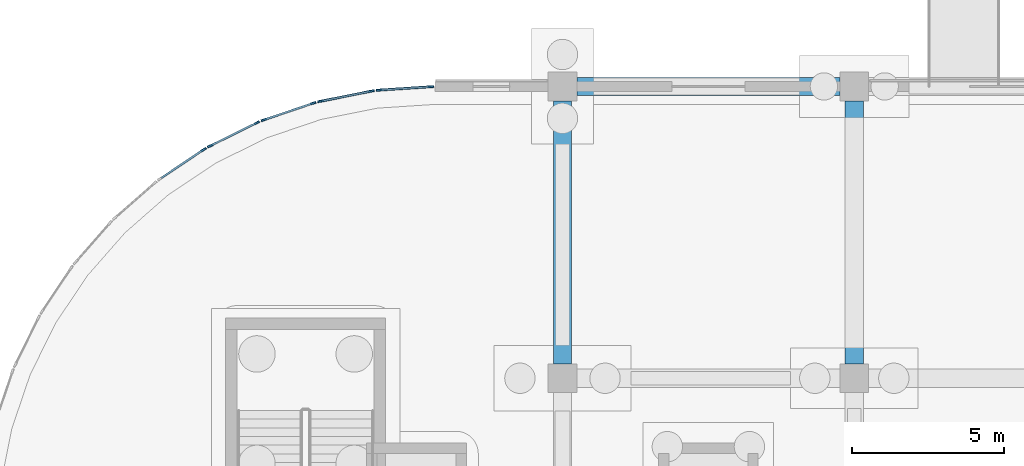
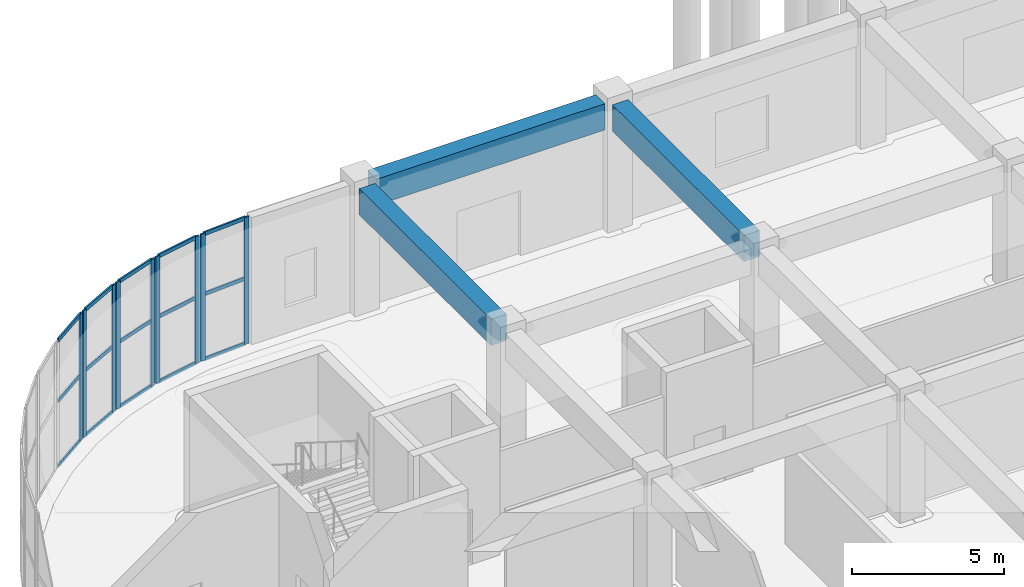
# One storey, part 14 of 74: 24 members, 3 beams, 5 elements without a shape of their own.
"""IFC4 building model written with IfcOpenShell, lengths in metres."""

from ifc_helpers import new_model, si_unit, direction, frame, origin, origin_2d, place, context, subcontext, project, spatial, rectangle, extrude, material, layer, layer_set, material_profile, profile_set, type_object, element, aggregate, save


model = new_model("IFC4")

# Units and contexts
model_context = context("Model", 3, precision=1e-05, world=origin(), true_north=direction((0.0, 1.0)))
body_context = subcontext(model_context, "Body", "Model", "MODEL_VIEW")
ifc_project = project(units=[si_unit("LENGTHUNIT", "METRE"), si_unit("AREAUNIT", "SQUARE_METRE"), si_unit("VOLUMEUNIT", "CUBIC_METRE"), si_unit("PLANEANGLEUNIT", "RADIAN"), si_unit("MASSUNIT", "GRAM", prefix="KILO")], contexts=[model_context])

# Site, building, storey
site_placement = place(None, origin())
site = spatial("IfcSite", under=ifc_project, at=site_placement, CompositionType="ELEMENT")
building_placement = place(site_placement, origin())
building = spatial("IfcBuilding", under=site, at=building_placement, Name="Cendralis Terraced Arcade", CompositionType="ELEMENT")
storey_placement = place(building_placement, origin())
storey = spatial("IfcBuildingStorey", under=building, at=storey_placement, Name="L00", CompositionType="ELEMENT", Elevation=0.0)

# Beams
ifc_material_1 = material(Name="Concrete f'c 35 MPa", Category="concrete")
ifc_material_profile_1 = material_profile(ifc_material_1, rectangle(XDim=0.60009765625, YDim=1.050048828125, at=origin_2d()), Name="RC-BM-600x1050", Category="LoadBearing")
ifc_profile_set_1 = profile_set([ifc_material_profile_1], Name="Concrete f'c 35 MPa")
beam_type = type_object("IfcBeamType", Name="BM-600x1050", PredefinedType="JOIST", material=ifc_profile_set_1)
for number, where, z_axis, x_axis, name in (
    (1, (19.675048828125, 88.800048828125, 4.56494140625), (1.0, 0.0, 0.0), (0.0, 1.0, 0.0), "Reinforced Concrete Frame Beam BM-X-L01-K-3_4"),
    (2, (19.199951171875, 79.675048828125, 4.56494140625), (0.0, 1.0, 0.0), (-1.0, 0.0, 0.0), "Reinforced Concrete Frame Beam BM-Y-L01-3-J_K"),
    (3, (28.800048828125, 79.675048828125, 4.56494140625), (0.0, 1.0, 0.0), (-1.0, 0.0, 0.0), "Reinforced Concrete Frame Beam BM-Y-L01-4-J_K"),
):
    element("IfcBeam", number, at=place(storey_placement, frame(where, z_axis=z_axis, x_axis=x_axis)), inside=storey, type_object=beam_type, Name=name, PredefinedType="JOIST", context=body_context, shape_type="SweptSolid", body=[
        extrude(rectangle(XDim=0.60009765625, YDim=1.050048828125, at=origin_2d()), origin(), (0.0, 0.0, 1.0), 8.64990234375),
    ])

# Curtain wall, member
ifc_material_2 = material(Name="Anodised aluminium EN AW-6063 T6", Category="aluminium")
ifc_layer = layer(ifc_material_2, 0.179931640625, Name="CW-UNIT-A")
ifc_layer_set = layer_set([ifc_layer], Name="Anodised aluminium EN AW-6063 T6")
curtain_wall_type = type_object("IfcCurtainWallType", Name="CW-UNIT-A", PredefinedType="USERDEFINED", material=ifc_layer_set)
curtain_wall_1_placement = place(storey_placement, origin())
curtain_wall_1 = element("IfcCurtainWall", 4, at=curtain_wall_1_placement, inside=storey, type_object=curtain_wall_type, Name="Exterior Unitised Facade CW-L00-0020", ObjectType="UNITISED FACADE", PredefinedType="USERDEFINED")
ifc_material_profile_2 = material_profile(ifc_material_2, rectangle(XDim=0.06494140625, YDim=0.179931640625, at=origin_2d()), Name="ALU-MUL-65x180")
ifc_profile_set_2 = profile_set([ifc_material_profile_2], Name="Anodised aluminium EN AW-6063 T6")
member_type_1 = type_object("IfcMemberType", Name="CW-UNIT-A-MUL", PredefinedType="MULLION", material=ifc_profile_set_2)
member_1_placement = place(storey_placement, frame((7.398193359375, 86.722412109375, 0.0), z_axis=(0.0, 0.0, 1.0), x_axis=(-0.555567476528, 0.831471454125, 0.0)))
member_1 = element("IfcMember", 5, at=member_1_placement, type_object=member_type_1, Name="CW-U1 mullion 2", PredefinedType="MULLION", context=body_context, shape_type="SweptSolid", body=[
    extrude(rectangle(XDim=0.06494140625, YDim=0.179931640625, at=origin_2d()), origin(), (0.0, 0.0, 1.0), 5.090087890625),
])

# Curtain wall, members
curtain_wall_2_placement = place(storey_placement, origin())
curtain_wall_2 = element("IfcCurtainWall", 6, at=curtain_wall_2_placement, inside=storey, type_object=curtain_wall_type, Name="Exterior Unitised Facade CW-L00-0021", ObjectType="UNITISED FACADE", PredefinedType="USERDEFINED")
member_2_placement = place(storey_placement, frame((7.60986328125, 86.844482421875, 0.0), z_axis=(0.0, 0.0, 1.0), x_axis=(-0.442291247495, 0.896871480419, 0.0)))
member_2 = element("IfcMember", 7, at=member_2_placement, type_object=member_type_1, Name="CW-U1 mullion 1", PredefinedType="MULLION", context=body_context, shape_type="SweptSolid", body=[
    extrude(rectangle(XDim=0.06494140625, YDim=0.179931640625, at=origin_2d()), origin(), (0.0, 0.0, 1.0), 5.090087890625),
])
member_3_placement = place(storey_placement, frame((9.14990234375, 87.60400390625, 0.0), z_axis=(0.0, 0.0, 1.0), x_axis=(-0.442291247495, 0.896871480419, 0.0)))
member_3 = element("IfcMember", 8, at=member_3_placement, type_object=member_type_1, Name="CW-U1 mullion 2", PredefinedType="MULLION", context=body_context, shape_type="SweptSolid", body=[
    extrude(rectangle(XDim=0.06494140625, YDim=0.179931640625, at=origin_2d()), origin(), (0.0, 0.0, 1.0), 5.090087890625),
])

curtain_wall_3_placement = place(storey_placement, origin())
curtain_wall_3 = element("IfcCurtainWall", 9, at=curtain_wall_3_placement, inside=storey, type_object=curtain_wall_type, Name="Exterior Unitised Facade CW-L00-0022", ObjectType="UNITISED FACADE", PredefinedType="USERDEFINED")
member_4_placement = place(storey_placement, frame((9.375732421875, 87.697509765625, 0.0), z_axis=(0.0, 0.0, 1.0), x_axis=(-0.321458077458, 0.946923811316, 0.0)))
member_4 = element("IfcMember", 10, at=member_4_placement, type_object=member_type_1, Name="CW-U1 mullion 1", PredefinedType="MULLION", context=body_context, shape_type="SweptSolid", body=[
    extrude(rectangle(XDim=0.06494140625, YDim=0.179931640625, at=origin_2d()), origin(), (0.0, 0.0, 1.0), 5.090087890625),
])
member_5_placement = place(storey_placement, frame((11.001708984375, 88.24951171875, 0.0), z_axis=(0.0, 0.0, 1.0), x_axis=(-0.321458077458, 0.946923811316, 0.0)))
member_5 = element("IfcMember", 11, at=member_5_placement, type_object=member_type_1, Name="CW-U1 mullion 2", PredefinedType="MULLION", context=body_context, shape_type="SweptSolid", body=[
    extrude(rectangle(XDim=0.06494140625, YDim=0.179931640625, at=origin_2d()), origin(), (0.0, 0.0, 1.0), 5.090087890625),
])

curtain_wall_4_placement = place(storey_placement, origin())
curtain_wall_4 = element("IfcCurtainWall", 12, at=curtain_wall_4_placement, inside=storey, type_object=curtain_wall_type, Name="Exterior Unitised Facade CW-L00-0023", ObjectType="UNITISED FACADE", PredefinedType="USERDEFINED")
member_6_placement = place(storey_placement, frame((11.23779296875, 88.312744140625, 0.0), z_axis=(0.0, 0.0, 1.0), x_axis=(-0.195058454434, 0.980791618721, 0.0)))
member_6 = element("IfcMember", 13, at=member_6_placement, type_object=member_type_1, Name="CW-U1 mullion 1", PredefinedType="MULLION", context=body_context, shape_type="SweptSolid", body=[
    extrude(rectangle(XDim=0.06494140625, YDim=0.179931640625, at=origin_2d()), origin(), (0.0, 0.0, 1.0), 5.090087890625),
])
member_7_placement = place(storey_placement, frame((12.921875, 88.647705078125, 0.0), z_axis=(0.0, 0.0, 1.0), x_axis=(-0.195058454434, 0.980791618721, 0.0)))
member_7 = element("IfcMember", 14, at=member_7_placement, type_object=member_type_1, Name="CW-U1 mullion 2", PredefinedType="MULLION", context=body_context, shape_type="SweptSolid", body=[
    extrude(rectangle(XDim=0.06494140625, YDim=0.179931640625, at=origin_2d()), origin(), (0.0, 0.0, 1.0), 5.090087890625),
])

curtain_wall_5_placement = place(storey_placement, origin())
curtain_wall_5 = element("IfcCurtainWall", 15, at=curtain_wall_5_placement, inside=storey, type_object=curtain_wall_type, Name="Exterior Unitised Facade CW-L00-0024", ObjectType="UNITISED FACADE", PredefinedType="USERDEFINED")
member_8_placement = place(storey_placement, frame((13.164306640625, 88.6796875, 0.0), z_axis=(0.0, 0.0, 1.0), x_axis=(-0.065371873798, 0.997860971336, 0.0)))
member_8 = element("IfcMember", 16, at=member_8_placement, type_object=member_type_1, Name="CW-U1 mullion 1", PredefinedType="MULLION", context=body_context, shape_type="SweptSolid", body=[
    extrude(rectangle(XDim=0.06494140625, YDim=0.179931640625, at=origin_2d()), origin(), (0.0, 0.0, 1.0), 5.090087890625),
])
member_9_placement = place(storey_placement, frame((14.877685546875, 88.7919921875, 0.0), z_axis=(0.0, 0.0, 1.0), x_axis=(-0.065371873798, 0.997860971336, 0.0)))
member_9 = element("IfcMember", 17, at=member_9_placement, type_object=member_type_1, Name="CW-U1 mullion 2", PredefinedType="MULLION", context=body_context, shape_type="SweptSolid", body=[
    extrude(rectangle(XDim=0.06494140625, YDim=0.179931640625, at=origin_2d()), origin(), (0.0, 0.0, 1.0), 5.090087890625),
])

# Member
ifc_material_profile_3 = material_profile(ifc_material_2, rectangle(XDim=0.06494140625, YDim=0.14990234375, at=origin_2d()), Name="ALU-TRN-65x150")
ifc_profile_set_3 = profile_set([ifc_material_profile_3], Name="Anodised aluminium EN AW-6063 T6")
member_type_2 = type_object("IfcMemberType", Name="CW-UNIT-A-TRN", PredefinedType="USERDEFINED", material=ifc_profile_set_3)
member_10_placement = place(storey_placement, frame((5.99755859375, 85.786376953125, 0.032470703125), z_axis=(0.831413153436, 0.555654720391, 0.0), x_axis=(-0.555654720391, 0.831413153436, 0.0)))
member_10 = element("IfcMember", 18, at=member_10_placement, type_object=member_type_2, Name="CW-U1 transom 1.1", ObjectType="TRANSOM", PredefinedType="USERDEFINED", context=body_context, shape_type="SweptSolid", body=[
    extrude(rectangle(XDim=0.06494140625, YDim=0.14990234375, at=origin_2d()), origin(), (0.0, 0.0, 1.0), 1.652099609375),
])

member_11_placement = place(storey_placement, frame((5.99755859375, 85.786376953125, 2.646728515625), z_axis=(0.831413153436, 0.555654720391, 0.0), x_axis=(-0.555654720391, 0.831413153436, 0.0)))
member_11 = element("IfcMember", 19, at=member_11_placement, type_object=member_type_2, Name="CW-U1 transom 1.2", ObjectType="TRANSOM", PredefinedType="USERDEFINED", context=body_context, shape_type="SweptSolid", body=[
    extrude(rectangle(XDim=0.06494140625, YDim=0.14990234375, at=origin_2d()), origin(), (0.0, 0.0, 1.0), 1.652099609375),
])

member_12_placement = place(storey_placement, frame((5.99755859375, 85.786376953125, 5.0576171875), z_axis=(0.831413153436, 0.555654720391, 0.0), x_axis=(-0.555654720391, 0.831413153436, 0.0)))
member_12 = element("IfcMember", 20, at=member_12_placement, type_object=member_type_2, Name="CW-U1 transom 1.3", ObjectType="TRANSOM", PredefinedType="USERDEFINED", context=body_context, shape_type="SweptSolid", body=[
    extrude(rectangle(XDim=0.06494140625, YDim=0.14990234375, at=origin_2d()), origin(), (0.0, 0.0, 1.0), 1.652099609375),
])

aggregate(curtain_wall_1, [member_1, member_10, member_11, member_12])

member_13_placement = place(storey_placement, frame((7.638916015625, 86.85888671875, 0.032470703125), z_axis=(0.896866855431, 0.442300625853, 0.0), x_axis=(-0.442300625853, 0.896866855431, 0.0)))
member_13 = element("IfcMember", 21, at=member_13_placement, type_object=member_type_2, Name="CW-U1 transom 1.1", ObjectType="TRANSOM", PredefinedType="USERDEFINED", context=body_context, shape_type="SweptSolid", body=[
    extrude(rectangle(XDim=0.06494140625, YDim=0.14990234375, at=origin_2d()), origin(), (0.0, 0.0, 1.0), 1.652099609375),
])

member_14_placement = place(storey_placement, frame((7.638916015625, 86.85888671875, 2.646728515625), z_axis=(0.896866855431, 0.442300625853, 0.0), x_axis=(-0.442300625853, 0.896866855431, 0.0)))
member_14 = element("IfcMember", 22, at=member_14_placement, type_object=member_type_2, Name="CW-U1 transom 1.2", ObjectType="TRANSOM", PredefinedType="USERDEFINED", context=body_context, shape_type="SweptSolid", body=[
    extrude(rectangle(XDim=0.06494140625, YDim=0.14990234375, at=origin_2d()), origin(), (0.0, 0.0, 1.0), 1.652099609375),
])

member_15_placement = place(storey_placement, frame((7.638916015625, 86.85888671875, 5.0576171875), z_axis=(0.896866855431, 0.442300625853, 0.0), x_axis=(-0.442300625853, 0.896866855431, 0.0)))
member_15 = element("IfcMember", 23, at=member_15_placement, type_object=member_type_2, Name="CW-U1 transom 1.3", ObjectType="TRANSOM", PredefinedType="USERDEFINED", context=body_context, shape_type="SweptSolid", body=[
    extrude(rectangle(XDim=0.06494140625, YDim=0.14990234375, at=origin_2d()), origin(), (0.0, 0.0, 1.0), 1.652099609375),
])

aggregate(curtain_wall_2, [member_2, member_3, member_13, member_14, member_15])

member_16_placement = place(storey_placement, frame((9.406494140625, 87.7080078125, 0.032470703125), z_axis=(0.94694015461, 0.321409930755, 0.0), x_axis=(-0.321409930755, 0.94694015461, 0.0)))
member_16 = element("IfcMember", 24, at=member_16_placement, type_object=member_type_2, Name="CW-U1 transom 1.1", ObjectType="TRANSOM", PredefinedType="USERDEFINED", context=body_context, shape_type="SweptSolid", body=[
    extrude(rectangle(XDim=0.06494140625, YDim=0.14990234375, at=origin_2d()), origin(), (0.0, 0.0, 1.0), 1.652099609375),
])

member_17_placement = place(storey_placement, frame((9.406494140625, 87.7080078125, 2.646728515625), z_axis=(0.94694015461, 0.321409930755, 0.0), x_axis=(-0.321409930755, 0.94694015461, 0.0)))
member_17 = element("IfcMember", 25, at=member_17_placement, type_object=member_type_2, Name="CW-U1 transom 1.2", ObjectType="TRANSOM", PredefinedType="USERDEFINED", context=body_context, shape_type="SweptSolid", body=[
    extrude(rectangle(XDim=0.06494140625, YDim=0.14990234375, at=origin_2d()), origin(), (0.0, 0.0, 1.0), 1.652099609375),
])

member_18_placement = place(storey_placement, frame((9.406494140625, 87.7080078125, 5.0576171875), z_axis=(0.94694015461, 0.321409930755, 0.0), x_axis=(-0.321409930755, 0.94694015461, 0.0)))
member_18 = element("IfcMember", 26, at=member_18_placement, type_object=member_type_2, Name="CW-U1 transom 1.3", ObjectType="TRANSOM", PredefinedType="USERDEFINED", context=body_context, shape_type="SweptSolid", body=[
    extrude(rectangle(XDim=0.06494140625, YDim=0.14990234375, at=origin_2d()), origin(), (0.0, 0.0, 1.0), 1.652099609375),
])

aggregate(curtain_wall_3, [member_4, member_5, member_16, member_17, member_18])

member_19_placement = place(storey_placement, frame((11.269775390625, 88.319091796875, 0.032470703125), z_axis=(0.980790408784, 0.195064538134, 0.0), x_axis=(-0.195064538134, 0.980790408784, 0.0)))
member_19 = element("IfcMember", 27, at=member_19_placement, type_object=member_type_2, Name="CW-U1 transom 1.1", ObjectType="TRANSOM", PredefinedType="USERDEFINED", context=body_context, shape_type="SweptSolid", body=[
    extrude(rectangle(XDim=0.06494140625, YDim=0.14990234375, at=origin_2d()), origin(), (0.0, 0.0, 1.0), 1.652099609375),
])

member_20_placement = place(storey_placement, frame((11.269775390625, 88.319091796875, 2.646728515625), z_axis=(0.980790408784, 0.195064538134, 0.0), x_axis=(-0.195064538134, 0.980790408784, 0.0)))
member_20 = element("IfcMember", 28, at=member_20_placement, type_object=member_type_2, Name="CW-U1 transom 1.2", ObjectType="TRANSOM", PredefinedType="USERDEFINED", context=body_context, shape_type="SweptSolid", body=[
    extrude(rectangle(XDim=0.06494140625, YDim=0.14990234375, at=origin_2d()), origin(), (0.0, 0.0, 1.0), 1.652099609375),
])

member_21_placement = place(storey_placement, frame((11.269775390625, 88.319091796875, 5.0576171875), z_axis=(0.980790408784, 0.195064538134, 0.0), x_axis=(-0.195064538134, 0.980790408784, 0.0)))
member_21 = element("IfcMember", 29, at=member_21_placement, type_object=member_type_2, Name="CW-U1 transom 1.3", ObjectType="TRANSOM", PredefinedType="USERDEFINED", context=body_context, shape_type="SweptSolid", body=[
    extrude(rectangle(XDim=0.06494140625, YDim=0.14990234375, at=origin_2d()), origin(), (0.0, 0.0, 1.0), 1.652099609375),
])

aggregate(curtain_wall_4, [member_6, member_7, member_19, member_20, member_21])

member_22_placement = place(storey_placement, frame((13.19677734375, 88.681884765625, 0.032470703125), z_axis=(0.997864850039, 0.065312640858, 0.0), x_axis=(-0.065312640858, 0.997864850039, 0.0)))
member_22 = element("IfcMember", 30, at=member_22_placement, type_object=member_type_2, Name="CW-U1 transom 1.1", ObjectType="TRANSOM", PredefinedType="USERDEFINED", context=body_context, shape_type="SweptSolid", body=[
    extrude(rectangle(XDim=0.06494140625, YDim=0.14990234375, at=origin_2d()), origin(), (0.0, 0.0, 1.0), 1.652099609375),
])

member_23_placement = place(storey_placement, frame((13.19677734375, 88.681884765625, 2.646728515625), z_axis=(0.997864850039, 0.065312640858, 0.0), x_axis=(-0.065312640858, 0.997864850039, 0.0)))
member_23 = element("IfcMember", 31, at=member_23_placement, type_object=member_type_2, Name="CW-U1 transom 1.2", ObjectType="TRANSOM", PredefinedType="USERDEFINED", context=body_context, shape_type="SweptSolid", body=[
    extrude(rectangle(XDim=0.06494140625, YDim=0.14990234375, at=origin_2d()), origin(), (0.0, 0.0, 1.0), 1.652099609375),
])

member_24_placement = place(storey_placement, frame((13.19677734375, 88.681884765625, 5.0576171875), z_axis=(0.997864850039, 0.065312640858, 0.0), x_axis=(-0.065312640858, 0.997864850039, 0.0)))
member_24 = element("IfcMember", 32, at=member_24_placement, type_object=member_type_2, Name="CW-U1 transom 1.3", ObjectType="TRANSOM", PredefinedType="USERDEFINED", context=body_context, shape_type="SweptSolid", body=[
    extrude(rectangle(XDim=0.06494140625, YDim=0.14990234375, at=origin_2d()), origin(), (0.0, 0.0, 1.0), 1.652099609375),
])

aggregate(curtain_wall_5, [member_8, member_9, member_22, member_23, member_24])

save(model, "model.ifc")
